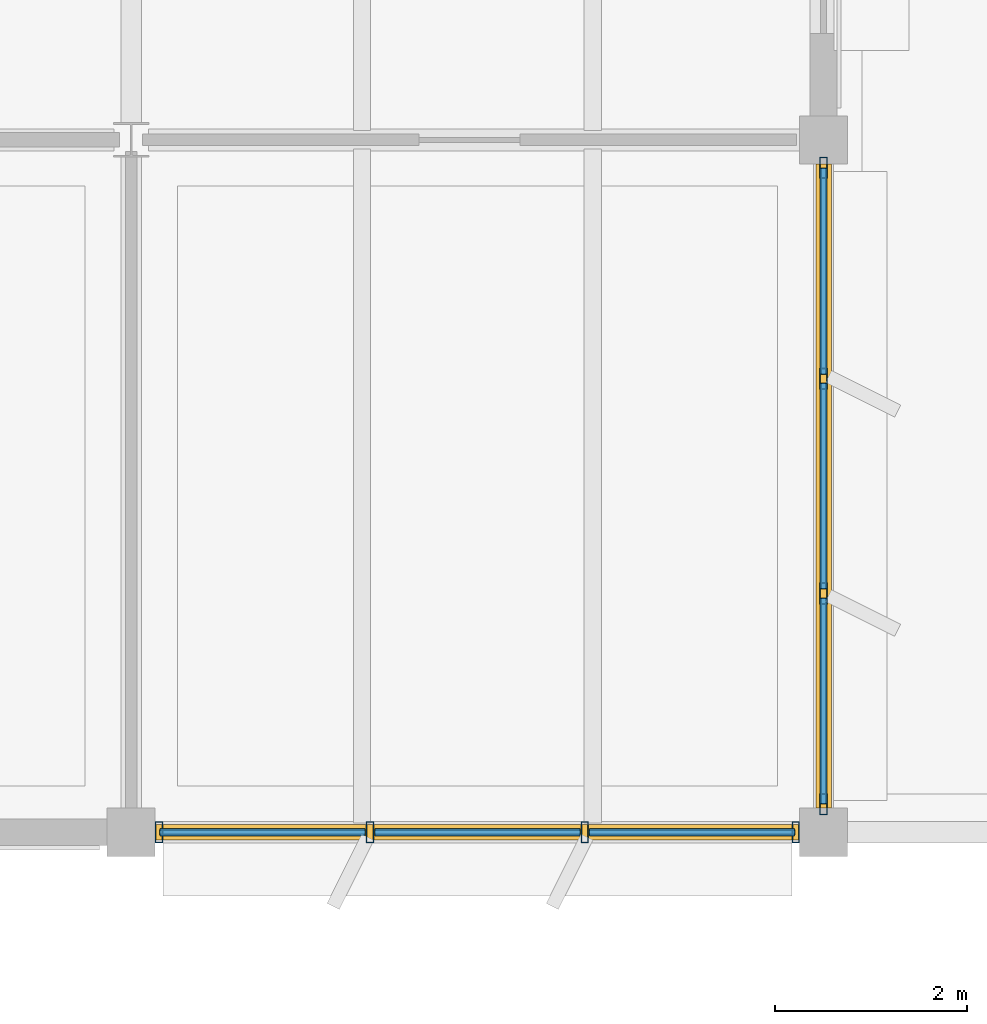
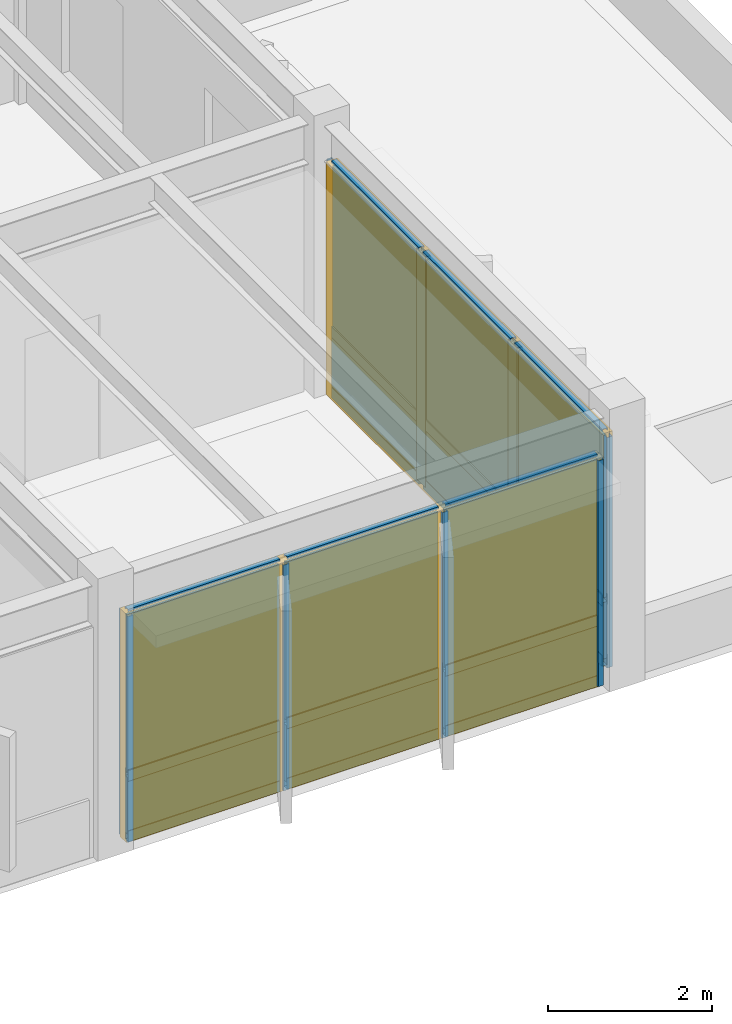
# One storey, part 61 of 85: 26 members, 12 plates, 2 curtain walls.
"""IFC4 building model written with IfcOpenShell, lengths in metres."""

from ifc_helpers import new_model, si_unit, direction, frame, origin, origin_2d, place, context, subcontext, project, spatial, rectangle, hollow_rectangle, extrude, material, layer, layer_set, material_profile, profile_set, type_object, element, aggregate, save


model = new_model("IFC4")

# Units and contexts
model_context = context("Model", 3, precision=1e-05, world=origin(), true_north=direction((0.0, 1.0)))
body_context = subcontext(model_context, "Body", "Model", "MODEL_VIEW")
ifc_project = project(units=[si_unit("LENGTHUNIT", "METRE"), si_unit("AREAUNIT", "SQUARE_METRE"), si_unit("VOLUMEUNIT", "CUBIC_METRE"), si_unit("PLANEANGLEUNIT", "RADIAN"), si_unit("MASSUNIT", "GRAM", prefix="KILO")], contexts=[model_context])

# Member
ifc_material_1 = material(Name="Anodized Aluminium 6063-T6", Category="aluminium")
ifc_material_profile_1 = material_profile(ifc_material_1, hollow_rectangle(XDim=0.074951171875, YDim=0.219970703125, WallThickness=0.0048828125, at=origin_2d()), Name="ALU 75x220x5")
ifc_profile_set_1 = profile_set([ifc_material_profile_1], Name="Anodized Aluminium 6063-T6")
member_type_1 = type_object("IfcMemberType", Name="CWM-75X180", PredefinedType="MULLION", material=ifc_profile_set_1)
site_placement = place(None, origin())
building_placement = place(site_placement, origin())
storey_placement = place(building_placement, frame((0.0, 0.0, 9.89990234375)))
member_1_placement = place(storey_placement, frame((114.909912109375, 79.199951171875, 0.02001953125), z_axis=(0.0, 0.0, 1.0), x_axis=(1.0, 0.0, 0.0)))
member_1 = element("IfcMember", 1, at=member_1_placement, type_object=member_type_1, Name="Curtain wall mullion CW-L03-15-11-S-00", PredefinedType="MULLION", context=body_context, shape_type="SweptSolid", body=[
    extrude(hollow_rectangle(XDim=0.074951171875, YDim=0.219970703125, WallThickness=0.0048828125, at=origin_2d()), origin(), (0.0, 0.0, 1.0), 3.358154296875),
])

member_2_placement = place(storey_placement, frame((112.716796875, 79.199951171875, 0.02001953125), z_axis=(0.0, 0.0, 1.0), x_axis=(1.0, 0.0, 0.0)))
member_2 = element("IfcMember", 2, at=member_2_placement, type_object=member_type_1, Name="Curtain wall mullion CW-L03-15-11-S-01", PredefinedType="MULLION", context=body_context, shape_type="SweptSolid", body=[
    extrude(hollow_rectangle(XDim=0.074951171875, YDim=0.219970703125, WallThickness=0.0048828125, at=origin_2d()), origin(), (0.0, 0.0, 1.0), 3.358154296875),
])

member_3_placement = place(storey_placement, frame((110.4833984375, 79.199951171875, 0.02001953125), z_axis=(0.0, 0.0, 1.0), x_axis=(1.0, 0.0, 0.0)))
member_3 = element("IfcMember", 3, at=member_3_placement, type_object=member_type_1, Name="Curtain wall mullion CW-L03-15-11-S-02", PredefinedType="MULLION", context=body_context, shape_type="SweptSolid", body=[
    extrude(hollow_rectangle(XDim=0.074951171875, YDim=0.219970703125, WallThickness=0.0048828125, at=origin_2d()), origin(), (0.0, 0.0, 1.0), 3.358154296875),
])

member_4_placement = place(storey_placement, frame((108.2900390625, 79.199951171875, 0.02001953125), z_axis=(0.0, 0.0, 1.0), x_axis=(1.0, 0.0, 0.0)))
member_4 = element("IfcMember", 4, at=member_4_placement, type_object=member_type_1, Name="Curtain wall mullion CW-L03-15-11-S-03", PredefinedType="MULLION", context=body_context, shape_type="SweptSolid", body=[
    extrude(hollow_rectangle(XDim=0.074951171875, YDim=0.219970703125, WallThickness=0.0048828125, at=origin_2d()), origin(), (0.0, 0.0, 1.0), 3.358154296875),
])

member_5_placement = place(storey_placement, frame((115.199951171875, 86.110107421875, 0.02001953125), z_axis=(0.0, 0.0, 1.0), x_axis=(1.0, 0.0, 0.0)))
member_5 = element("IfcMember", 5, at=member_5_placement, type_object=member_type_1, Name="Curtain wall mullion CW-L03-15-11-E-00", PredefinedType="MULLION", context=body_context, shape_type="SweptSolid", body=[
    extrude(hollow_rectangle(XDim=0.074951171875, YDim=0.219970703125, WallThickness=0.0048828125, at=origin_2d()), origin(), (0.0, 0.0, 1.0), 3.427001953125),
])

member_6_placement = place(storey_placement, frame((115.199951171875, 83.916748046875, 0.02001953125), z_axis=(0.0, 0.0, 1.0), x_axis=(1.0, 0.0, 0.0)))
member_6 = element("IfcMember", 6, at=member_6_placement, type_object=member_type_1, Name="Curtain wall mullion CW-L03-15-11-E-01", PredefinedType="MULLION", context=body_context, shape_type="SweptSolid", body=[
    extrude(hollow_rectangle(XDim=0.074951171875, YDim=0.219970703125, WallThickness=0.0048828125, at=origin_2d()), origin(), (0.0, 0.0, 1.0), 3.427001953125),
])

member_7_placement = place(storey_placement, frame((115.199951171875, 81.683349609375, 0.02001953125), z_axis=(0.0, 0.0, 1.0), x_axis=(1.0, 0.0, 0.0)))
member_7 = element("IfcMember", 7, at=member_7_placement, type_object=member_type_1, Name="Curtain wall mullion CW-L03-15-11-E-02", PredefinedType="MULLION", context=body_context, shape_type="SweptSolid", body=[
    extrude(hollow_rectangle(XDim=0.074951171875, YDim=0.219970703125, WallThickness=0.0048828125, at=origin_2d()), origin(), (0.0, 0.0, 1.0), 3.427001953125),
])

member_8_placement = place(storey_placement, frame((115.199951171875, 79.489990234375, 0.02001953125), z_axis=(0.0, 0.0, 1.0), x_axis=(1.0, 0.0, 0.0)))
member_8 = element("IfcMember", 8, at=member_8_placement, type_object=member_type_1, Name="Curtain wall mullion CW-L03-15-11-E-03", PredefinedType="MULLION", context=body_context, shape_type="SweptSolid", body=[
    extrude(hollow_rectangle(XDim=0.074951171875, YDim=0.219970703125, WallThickness=0.0048828125, at=origin_2d()), origin(), (0.0, 0.0, 1.0), 3.427001953125),
])

ifc_material_profile_2 = material_profile(ifc_material_1, hollow_rectangle(XDim=0.074951171875, YDim=0.159912109375, WallThickness=0.00390625, at=origin_2d()), Name="ALU 75x160x4")
ifc_profile_set_2 = profile_set([ifc_material_profile_2], Name="Anodized Aluminium 6063-T6")
member_type_2 = type_object("IfcMemberType", Name="CWT-75X150", PredefinedType="USERDEFINED", material=ifc_profile_set_2)
member_9_placement = place(storey_placement, frame((114.89990234375, 79.199951171875, 0.050048828125), z_axis=(-1.0, 0.0, 0.0), x_axis=(0.0, -1.0, 0.0)))
member_9 = element("IfcMember", 9, at=member_9_placement, type_object=member_type_2, Name="Curtain wall transom CW-L03-15-11-S-1.01", ObjectType="TRANSOM", PredefinedType="USERDEFINED", context=body_context, shape_type="SweptSolid", body=[
    extrude(hollow_rectangle(XDim=0.074951171875, YDim=0.159912109375, WallThickness=0.00390625, at=origin_2d()), origin(), (0.0, 0.0, 1.0), 2.13330078125),
])

member_10_placement = place(storey_placement, frame((112.666748046875, 79.199951171875, 0.050048828125), z_axis=(-1.0, 0.0, 0.0), x_axis=(0.0, -1.0, 0.0)))
member_10 = element("IfcMember", 10, at=member_10_placement, type_object=member_type_2, Name="Curtain wall transom CW-L03-15-11-S-1.02", ObjectType="TRANSOM", PredefinedType="USERDEFINED", context=body_context, shape_type="SweptSolid", body=[
    extrude(hollow_rectangle(XDim=0.074951171875, YDim=0.159912109375, WallThickness=0.00390625, at=origin_2d()), origin(), (0.0, 0.0, 1.0), 2.133544921875),
])

member_11_placement = place(storey_placement, frame((110.433349609375, 79.199951171875, 0.050048828125), z_axis=(-1.0, 0.0, 0.0), x_axis=(0.0, -1.0, 0.0)))
member_11 = element("IfcMember", 11, at=member_11_placement, type_object=member_type_2, Name="Curtain wall transom CW-L03-15-11-S-1.03", ObjectType="TRANSOM", PredefinedType="USERDEFINED", context=body_context, shape_type="SweptSolid", body=[
    extrude(hollow_rectangle(XDim=0.074951171875, YDim=0.159912109375, WallThickness=0.00390625, at=origin_2d()), origin(), (0.0, 0.0, 1.0), 2.13330078125),
])

member_12_placement = place(storey_placement, frame((114.89990234375, 79.199951171875, 0.9501953125), z_axis=(-1.0, 0.0, 0.0), x_axis=(0.0, -1.0, 0.0)))
member_12 = element("IfcMember", 12, at=member_12_placement, type_object=member_type_2, Name="Curtain wall transom CW-L03-15-11-S-2.01", ObjectType="TRANSOM", PredefinedType="USERDEFINED", context=body_context, shape_type="SweptSolid", body=[
    extrude(hollow_rectangle(XDim=0.074951171875, YDim=0.159912109375, WallThickness=0.00390625, at=origin_2d()), origin(), (0.0, 0.0, 1.0), 2.13330078125),
])

member_13_placement = place(storey_placement, frame((112.666748046875, 79.199951171875, 0.9501953125), z_axis=(-1.0, 0.0, 0.0), x_axis=(0.0, -1.0, 0.0)))
member_13 = element("IfcMember", 13, at=member_13_placement, type_object=member_type_2, Name="Curtain wall transom CW-L03-15-11-S-2.02", ObjectType="TRANSOM", PredefinedType="USERDEFINED", context=body_context, shape_type="SweptSolid", body=[
    extrude(hollow_rectangle(XDim=0.074951171875, YDim=0.159912109375, WallThickness=0.00390625, at=origin_2d()), origin(), (0.0, 0.0, 1.0), 2.133544921875),
])

member_14_placement = place(storey_placement, frame((110.433349609375, 79.199951171875, 0.9501953125), z_axis=(-1.0, 0.0, 0.0), x_axis=(0.0, -1.0, 0.0)))
member_14 = element("IfcMember", 14, at=member_14_placement, type_object=member_type_2, Name="Curtain wall transom CW-L03-15-11-S-2.03", ObjectType="TRANSOM", PredefinedType="USERDEFINED", context=body_context, shape_type="SweptSolid", body=[
    extrude(hollow_rectangle(XDim=0.074951171875, YDim=0.159912109375, WallThickness=0.00390625, at=origin_2d()), origin(), (0.0, 0.0, 1.0), 2.13330078125),
])

member_15_placement = place(storey_placement, frame((114.89990234375, 79.199951171875, 3.34814453125), z_axis=(-1.0, 0.0, 0.0), x_axis=(0.0, -1.0, 0.0)))
member_15 = element("IfcMember", 15, at=member_15_placement, type_object=member_type_2, Name="Curtain wall transom CW-L03-15-11-S-3.01", ObjectType="TRANSOM", PredefinedType="USERDEFINED", context=body_context, shape_type="SweptSolid", body=[
    extrude(hollow_rectangle(XDim=0.074951171875, YDim=0.159912109375, WallThickness=0.00390625, at=origin_2d()), origin(), (0.0, 0.0, 1.0), 2.13330078125),
])

member_16_placement = place(storey_placement, frame((112.666748046875, 79.199951171875, 3.34814453125), z_axis=(-1.0, 0.0, 0.0), x_axis=(0.0, -1.0, 0.0)))
member_16 = element("IfcMember", 16, at=member_16_placement, type_object=member_type_2, Name="Curtain wall transom CW-L03-15-11-S-3.02", ObjectType="TRANSOM", PredefinedType="USERDEFINED", context=body_context, shape_type="SweptSolid", body=[
    extrude(hollow_rectangle(XDim=0.074951171875, YDim=0.159912109375, WallThickness=0.00390625, at=origin_2d()), origin(), (0.0, 0.0, 1.0), 2.133544921875),
])

member_17_placement = place(storey_placement, frame((110.433349609375, 79.199951171875, 3.34814453125), z_axis=(-1.0, 0.0, 0.0), x_axis=(0.0, -1.0, 0.0)))
member_17 = element("IfcMember", 17, at=member_17_placement, type_object=member_type_2, Name="Curtain wall transom CW-L03-15-11-S-3.03", ObjectType="TRANSOM", PredefinedType="USERDEFINED", context=body_context, shape_type="SweptSolid", body=[
    extrude(hollow_rectangle(XDim=0.074951171875, YDim=0.159912109375, WallThickness=0.00390625, at=origin_2d()), origin(), (0.0, 0.0, 1.0), 2.13330078125),
])

member_18_placement = place(storey_placement, frame((115.199951171875, 86.10009765625, 0.050048828125), z_axis=(0.0, -1.0, 0.0), x_axis=(1.0, 0.0, 0.0)))
member_18 = element("IfcMember", 18, at=member_18_placement, type_object=member_type_2, Name="Curtain wall transom CW-L03-15-11-E-1.01", ObjectType="TRANSOM", PredefinedType="USERDEFINED", context=body_context, shape_type="SweptSolid", body=[
    extrude(hollow_rectangle(XDim=0.074951171875, YDim=0.159912109375, WallThickness=0.00390625, at=origin_2d()), origin(), (0.0, 0.0, 1.0), 2.13330078125),
])

member_19_placement = place(storey_placement, frame((115.199951171875, 83.86669921875, 0.050048828125), z_axis=(0.0, -1.0, 0.0), x_axis=(1.0, 0.0, 0.0)))
member_19 = element("IfcMember", 19, at=member_19_placement, type_object=member_type_2, Name="Curtain wall transom CW-L03-15-11-E-1.02", ObjectType="TRANSOM", PredefinedType="USERDEFINED", context=body_context, shape_type="SweptSolid", body=[
    extrude(hollow_rectangle(XDim=0.074951171875, YDim=0.159912109375, WallThickness=0.00390625, at=origin_2d()), origin(), (0.0, 0.0, 1.0), 2.13330078125),
])

member_20_placement = place(storey_placement, frame((115.199951171875, 81.63330078125, 0.050048828125), z_axis=(0.0, -1.0, 0.0), x_axis=(1.0, 0.0, 0.0)))
member_20 = element("IfcMember", 20, at=member_20_placement, type_object=member_type_2, Name="Curtain wall transom CW-L03-15-11-E-1.03", ObjectType="TRANSOM", PredefinedType="USERDEFINED", context=body_context, shape_type="SweptSolid", body=[
    extrude(hollow_rectangle(XDim=0.074951171875, YDim=0.159912109375, WallThickness=0.00390625, at=origin_2d()), origin(), (0.0, 0.0, 1.0), 2.13330078125),
])

member_21_placement = place(storey_placement, frame((115.199951171875, 86.10009765625, 0.9501953125), z_axis=(0.0, -1.0, 0.0), x_axis=(1.0, 0.0, 0.0)))
member_21 = element("IfcMember", 21, at=member_21_placement, type_object=member_type_2, Name="Curtain wall transom CW-L03-15-11-E-2.01", ObjectType="TRANSOM", PredefinedType="USERDEFINED", context=body_context, shape_type="SweptSolid", body=[
    extrude(hollow_rectangle(XDim=0.074951171875, YDim=0.159912109375, WallThickness=0.00390625, at=origin_2d()), origin(), (0.0, 0.0, 1.0), 2.13330078125),
])

member_22_placement = place(storey_placement, frame((115.199951171875, 83.86669921875, 0.9501953125), z_axis=(0.0, -1.0, 0.0), x_axis=(1.0, 0.0, 0.0)))
member_22 = element("IfcMember", 22, at=member_22_placement, type_object=member_type_2, Name="Curtain wall transom CW-L03-15-11-E-2.02", ObjectType="TRANSOM", PredefinedType="USERDEFINED", context=body_context, shape_type="SweptSolid", body=[
    extrude(hollow_rectangle(XDim=0.074951171875, YDim=0.159912109375, WallThickness=0.00390625, at=origin_2d()), origin(), (0.0, 0.0, 1.0), 2.13330078125),
])

member_23_placement = place(storey_placement, frame((115.199951171875, 81.63330078125, 0.9501953125), z_axis=(0.0, -1.0, 0.0), x_axis=(1.0, 0.0, 0.0)))
member_23 = element("IfcMember", 23, at=member_23_placement, type_object=member_type_2, Name="Curtain wall transom CW-L03-15-11-E-2.03", ObjectType="TRANSOM", PredefinedType="USERDEFINED", context=body_context, shape_type="SweptSolid", body=[
    extrude(hollow_rectangle(XDim=0.074951171875, YDim=0.159912109375, WallThickness=0.00390625, at=origin_2d()), origin(), (0.0, 0.0, 1.0), 2.13330078125),
])

member_24_placement = place(storey_placement, frame((115.199951171875, 86.10009765625, 3.4169921875), z_axis=(0.0, -1.0, 0.0), x_axis=(1.0, 0.0, 0.0)))
member_24 = element("IfcMember", 24, at=member_24_placement, type_object=member_type_2, Name="Curtain wall transom CW-L03-15-11-E-3.01", ObjectType="TRANSOM", PredefinedType="USERDEFINED", context=body_context, shape_type="SweptSolid", body=[
    extrude(hollow_rectangle(XDim=0.074951171875, YDim=0.159912109375, WallThickness=0.00390625, at=origin_2d()), origin(), (0.0, 0.0, 1.0), 2.13330078125),
])

member_25_placement = place(storey_placement, frame((115.199951171875, 83.86669921875, 3.4169921875), z_axis=(0.0, -1.0, 0.0), x_axis=(1.0, 0.0, 0.0)))
member_25 = element("IfcMember", 25, at=member_25_placement, type_object=member_type_2, Name="Curtain wall transom CW-L03-15-11-E-3.02", ObjectType="TRANSOM", PredefinedType="USERDEFINED", context=body_context, shape_type="SweptSolid", body=[
    extrude(hollow_rectangle(XDim=0.074951171875, YDim=0.159912109375, WallThickness=0.00390625, at=origin_2d()), origin(), (0.0, 0.0, 1.0), 2.13330078125),
])

member_26_placement = place(storey_placement, frame((115.199951171875, 81.63330078125, 3.4169921875), z_axis=(0.0, -1.0, 0.0), x_axis=(1.0, 0.0, 0.0)))
member_26 = element("IfcMember", 26, at=member_26_placement, type_object=member_type_2, Name="Curtain wall transom CW-L03-15-11-E-3.03", ObjectType="TRANSOM", PredefinedType="USERDEFINED", context=body_context, shape_type="SweptSolid", body=[
    extrude(hollow_rectangle(XDim=0.074951171875, YDim=0.159912109375, WallThickness=0.00390625, at=origin_2d()), origin(), (0.0, 0.0, 1.0), 2.13330078125),
])

# Plate
ifc_material_2 = material(Name="Acoustic Laminated Low-E Glazing", Category="glass")
ifc_layer_1 = layer(ifc_material_2, 0.0439453125)
ifc_layer_set_1 = layer_set([ifc_layer_1], Name="Acoustic Laminated Low-E Glazing")
plate_type_1 = type_object("IfcPlateType", Name="CWP-IGU-44", PredefinedType="CURTAIN_PANEL", material=ifc_layer_set_1)
plate_1_placement = place(storey_placement, frame((113.833251953125, 79.199951171875, 0.990234375), z_axis=(0.0, 0.0, 1.0), x_axis=(-1.0, 0.0, 0.0)))
plate_1 = element("IfcPlate", 27, at=plate_1_placement, type_object=plate_type_1, Name="Curtain wall vision glazing CW-L03-15-11-S-01", PredefinedType="CURTAIN_PANEL", context=body_context, shape_type="SweptSolid", body=[
    extrude(rectangle(XDim=2.143310546875, YDim=0.0400390625, at=origin_2d()), origin(), (0.0, 0.0, 1.0), 2.347900390625),
])

plate_2_placement = place(storey_placement, frame((111.60009765625, 79.199951171875, 0.990234375), z_axis=(0.0, 0.0, 1.0), x_axis=(-1.0, 0.0, 0.0)))
plate_2 = element("IfcPlate", 28, at=plate_2_placement, type_object=plate_type_1, Name="Curtain wall vision glazing CW-L03-15-11-S-02", PredefinedType="CURTAIN_PANEL", context=body_context, shape_type="SweptSolid", body=[
    extrude(rectangle(XDim=2.143310546875, YDim=0.0400390625, at=origin_2d()), origin(), (0.0, 0.0, 1.0), 2.347900390625),
])

plate_3_placement = place(storey_placement, frame((109.36669921875, 79.199951171875, 0.990234375), z_axis=(0.0, 0.0, 1.0), x_axis=(-1.0, 0.0, 0.0)))
plate_3 = element("IfcPlate", 29, at=plate_3_placement, type_object=plate_type_1, Name="Curtain wall vision glazing CW-L03-15-11-S-03", PredefinedType="CURTAIN_PANEL", context=body_context, shape_type="SweptSolid", body=[
    extrude(rectangle(XDim=2.143310546875, YDim=0.0400390625, at=origin_2d()), origin(), (0.0, 0.0, 1.0), 2.347900390625),
])

plate_4_placement = place(storey_placement, frame((115.199951171875, 85.033203125, 0.989990234375), z_axis=(0.0, 0.0, 1.0), x_axis=(0.0, -1.0, 0.0)))
plate_4 = element("IfcPlate", 30, at=plate_4_placement, type_object=plate_type_1, Name="Curtain wall vision glazing CW-L03-15-11-E-01", PredefinedType="CURTAIN_PANEL", context=body_context, shape_type="SweptSolid", body=[
    extrude(rectangle(XDim=2.143310546875, YDim=0.0400390625, at=origin_2d()), origin(), (0.0, 0.0, 1.0), 2.4169921875),
])

plate_5_placement = place(storey_placement, frame((115.199951171875, 82.800048828125, 0.989990234375), z_axis=(0.0, 0.0, 1.0), x_axis=(0.0, -1.0, 0.0)))
plate_5 = element("IfcPlate", 31, at=plate_5_placement, type_object=plate_type_1, Name="Curtain wall vision glazing CW-L03-15-11-E-02", PredefinedType="CURTAIN_PANEL", context=body_context, shape_type="SweptSolid", body=[
    extrude(rectangle(XDim=2.143310546875, YDim=0.0400390625, at=origin_2d()), origin(), (0.0, 0.0, 1.0), 2.4169921875),
])

plate_6_placement = place(storey_placement, frame((115.199951171875, 80.566650390625, 0.989990234375), z_axis=(0.0, 0.0, 1.0), x_axis=(0.0, -1.0, 0.0)))
plate_6 = element("IfcPlate", 32, at=plate_6_placement, type_object=plate_type_1, Name="Curtain wall vision glazing CW-L03-15-11-E-03", PredefinedType="CURTAIN_PANEL", context=body_context, shape_type="SweptSolid", body=[
    extrude(rectangle(XDim=2.143310546875, YDim=0.0400390625, at=origin_2d()), origin(), (0.0, 0.0, 1.0), 2.4169921875),
])

ifc_material_3 = material(Name="Insulated Stone-Composite Spandrel", Category="masonry")
ifc_layer_2 = layer(ifc_material_3, 0.068115234375)
ifc_layer_set_2 = layer_set([ifc_layer_2], Name="Insulated Stone-Composite Spandrel")
plate_type_2 = type_object("IfcPlateType", Name="CWP-SPN-68", PredefinedType="CURTAIN_PANEL", material=ifc_layer_set_2)
plate_7_placement = place(storey_placement, frame((113.833251953125, 79.199951171875, 0.080078125), z_axis=(0.0, 0.0, 1.0), x_axis=(-1.0, 0.0, 0.0)))
plate_7 = element("IfcPlate", 33, at=plate_7_placement, type_object=plate_type_2, Name="Curtain wall spandrel panel CW-L03-15-11-S-01", PredefinedType="CURTAIN_PANEL", context=body_context, shape_type="SweptSolid", body=[
    extrude(rectangle(XDim=2.143310546875, YDim=0.06005859375, at=origin_2d()), origin(), (0.0, 0.0, 1.0), 0.840087890625),
])

plate_8_placement = place(storey_placement, frame((111.60009765625, 79.199951171875, 0.080078125), z_axis=(0.0, 0.0, 1.0), x_axis=(-1.0, 0.0, 0.0)))
plate_8 = element("IfcPlate", 34, at=plate_8_placement, type_object=plate_type_2, Name="Curtain wall spandrel panel CW-L03-15-11-S-02", PredefinedType="CURTAIN_PANEL", context=body_context, shape_type="SweptSolid", body=[
    extrude(rectangle(XDim=2.143310546875, YDim=0.06005859375, at=origin_2d()), origin(), (0.0, 0.0, 1.0), 0.840087890625),
])

plate_9_placement = place(storey_placement, frame((109.36669921875, 79.199951171875, 0.080078125), z_axis=(0.0, 0.0, 1.0), x_axis=(-1.0, 0.0, 0.0)))
plate_9 = element("IfcPlate", 35, at=plate_9_placement, type_object=plate_type_2, Name="Curtain wall spandrel panel CW-L03-15-11-S-03", PredefinedType="CURTAIN_PANEL", context=body_context, shape_type="SweptSolid", body=[
    extrude(rectangle(XDim=2.143310546875, YDim=0.06005859375, at=origin_2d()), origin(), (0.0, 0.0, 1.0), 0.840087890625),
])

plate_10_placement = place(storey_placement, frame((115.199951171875, 85.033203125, 0.080078125), z_axis=(0.0, 0.0, 1.0), x_axis=(0.0, -1.0, 0.0)))
plate_10 = element("IfcPlate", 36, at=plate_10_placement, type_object=plate_type_2, Name="Curtain wall spandrel panel CW-L03-15-11-E-01", PredefinedType="CURTAIN_PANEL", context=body_context, shape_type="SweptSolid", body=[
    extrude(rectangle(XDim=2.143310546875, YDim=0.06005859375, at=origin_2d()), origin(), (0.0, 0.0, 1.0), 0.840087890625),
])

plate_11_placement = place(storey_placement, frame((115.199951171875, 82.800048828125, 0.080078125), z_axis=(0.0, 0.0, 1.0), x_axis=(0.0, -1.0, 0.0)))
plate_11 = element("IfcPlate", 37, at=plate_11_placement, type_object=plate_type_2, Name="Curtain wall spandrel panel CW-L03-15-11-E-02", PredefinedType="CURTAIN_PANEL", context=body_context, shape_type="SweptSolid", body=[
    extrude(rectangle(XDim=2.143310546875, YDim=0.06005859375, at=origin_2d()), origin(), (0.0, 0.0, 1.0), 0.840087890625),
])

plate_12_placement = place(storey_placement, frame((115.199951171875, 80.566650390625, 0.080078125), z_axis=(0.0, 0.0, 1.0), x_axis=(0.0, -1.0, 0.0)))
plate_12 = element("IfcPlate", 38, at=plate_12_placement, type_object=plate_type_2, Name="Curtain wall spandrel panel CW-L03-15-11-E-03", PredefinedType="CURTAIN_PANEL", context=body_context, shape_type="SweptSolid", body=[
    extrude(rectangle(XDim=2.143310546875, YDim=0.06005859375, at=origin_2d()), origin(), (0.0, 0.0, 1.0), 0.840087890625),
])

# Site, building, storey
site = spatial("IfcSite", under=ifc_project, at=site_placement, CompositionType="ELEMENT")
building = spatial("IfcBuilding", under=site, at=building_placement, Name="Sillqori Civic Hall", CompositionType="ELEMENT")
storey = spatial("IfcBuildingStorey", under=building, at=storey_placement, Name="L03", CompositionType="ELEMENT", Elevation=9.89990234375)

# Curtain wall
ifc_material_4 = material(Name="Anodized Aluminium Curtain Wall System", Category="aluminium")
curtain_wall_type = type_object("IfcCurtainWallType", Name="CW-GL-400", PredefinedType="NOTDEFINED", material=ifc_material_4)
curtain_wall_1_placement = place(storey_placement, frame((111.60009765625, 79.199951171875, 0.000244140625), z_axis=(0.0, 0.0, 1.0), x_axis=(-1.0, 0.0, 0.0)))
curtain_wall_1 = element("IfcCurtainWall", 39, at=curtain_wall_1_placement, inside=storey, type_object=curtain_wall_type, Name="L03 unitised curtain wall CW-L03-15-11-S", PredefinedType="NOTDEFINED", context=body_context, shape_type="SweptSolid", body=[
    extrude(rectangle(XDim=6.699951171875, YDim=0.159912109375, at=origin_2d()), origin(), (0.0, 0.0, 1.0), 3.39794921875),
])

aggregate(curtain_wall_1, [member_1, member_2, member_3, member_4, member_9, member_10, member_11, member_12, member_13, member_14, member_15, member_16, member_17, plate_7, plate_1, plate_8, plate_2, plate_9, plate_3])

curtain_wall_2_placement = place(storey_placement, frame((115.199951171875, 82.800048828125, 0.0), z_axis=(0.0, 0.0, 1.0), x_axis=(0.0, -1.0, 0.0)))
curtain_wall_2 = element("IfcCurtainWall", 40, at=curtain_wall_2_placement, inside=storey, type_object=curtain_wall_type, Name="L03 unitised curtain wall CW-L03-15-11-E", PredefinedType="NOTDEFINED", context=body_context, shape_type="SweptSolid", body=[
    extrude(rectangle(XDim=6.699951171875, YDim=0.159912109375, at=origin_2d()), origin(), (0.0, 0.0, 1.0), 3.467041015625),
])

aggregate(curtain_wall_2, [member_5, member_6, member_7, member_8, member_18, member_19, member_20, member_21, member_22, member_23, member_24, member_25, member_26, plate_10, plate_4, plate_11, plate_5, plate_12, plate_6])

save(model, "model.ifc")
